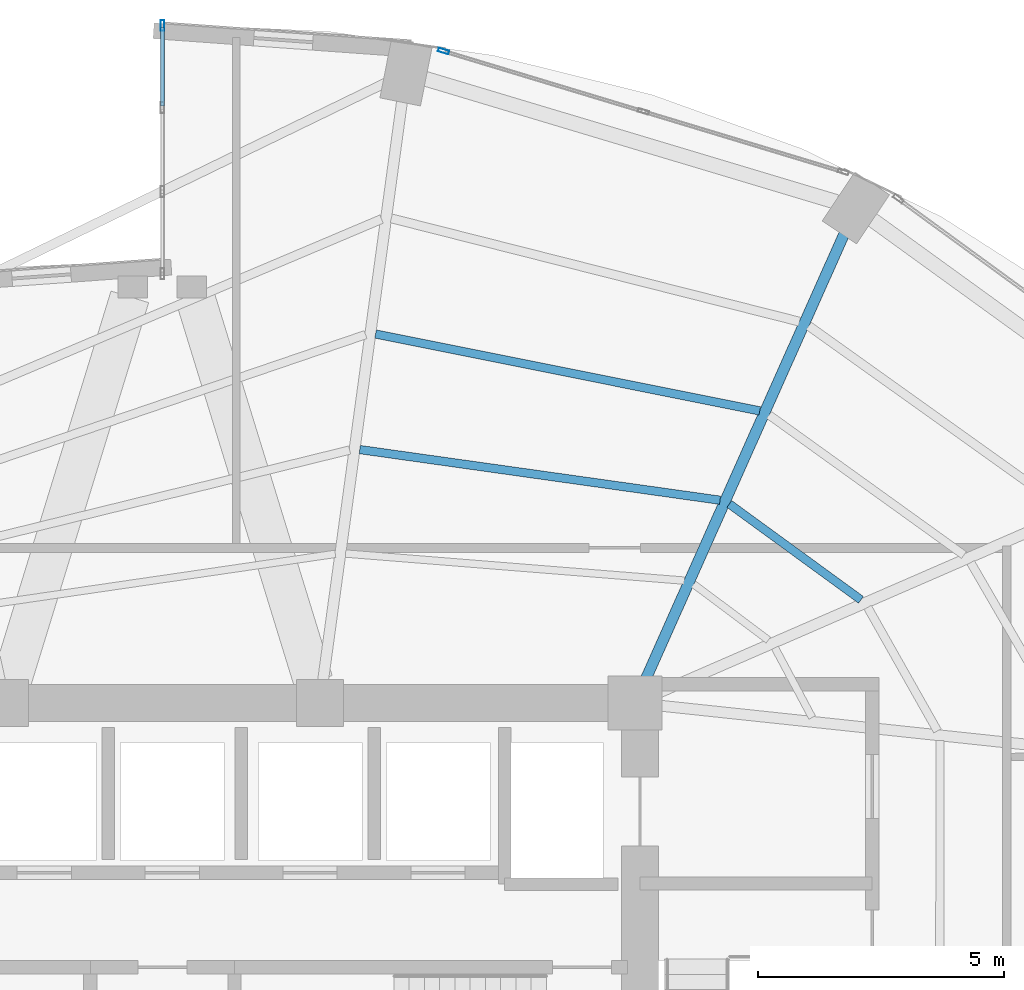
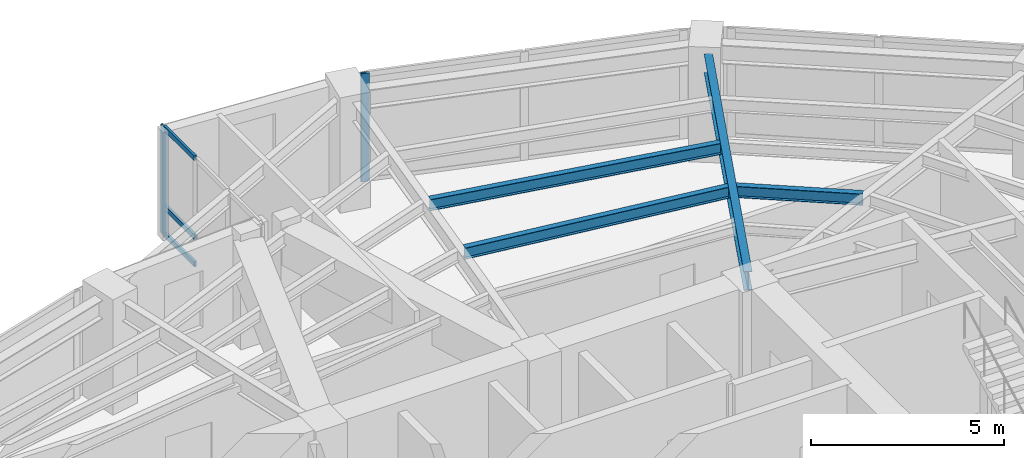
# One storey, part 16 of 24: 5 members, 4 beams, 2 elements without a shape of their own.
"""IFC4 building model written with IfcOpenShell, lengths in metres."""

import ifcopenshell
import ifcopenshell.guid

model = None  # the IFC model being written
_history = None  # IfcOwnerHistory: only IFC2X3 demands one
_inside = {}  # id of a spatial element -> (the spatial element, [elements in it])
_under = {}  # id of a project, library or spatial element -> (it, [spatial elements below it])
_declared = {}  # id of a project -> (the project, [libraries it declares])
_typed = {}  # id of a type object -> (the type object, [elements of that type])
_made_of = {}  # id of a material, layer set ... -> (it, [elements and type objects made of it])


def new_model(schema):
    """Start an empty IFC model of exactly this schema.

    Asked for "IFC4X3", IfcOpenShell would pick the latest addendum, in which some entities
    have other attributes; the version numbers below select the first issue.
    IFC2X3 requires an IfcOwnerHistory on every rooted entity: one is made here for all.
    """
    global model, _history
    if schema == "IFC4X3":
        model = ifcopenshell.file(schema_version=(4, 3, 0, 0))
    else:
        model = ifcopenshell.file(schema=schema)
    _inside.clear()
    _under.clear()
    _declared.clear()
    _typed.clear()
    _made_of.clear()
    _history = None
    if model.schema == "IFC2X3":
        org = make("IfcOrganization", Name="unknown")
        user = make(
            "IfcPersonAndOrganization",
            ThePerson=make("IfcPerson", FamilyName="unknown"),
            TheOrganization=org,
        )
        app = make(
            "IfcApplication",
            ApplicationDeveloper=org,
            Version="unknown",
            ApplicationFullName="unknown",
            ApplicationIdentifier="unknown",
        )
        _history = make(
            "IfcOwnerHistory",
            OwningUser=user,
            OwningApplication=app,
            ChangeAction="ADDED",
            CreationDate=0,
        )
    return model


def make(cls, **values):
    """One entity of the class cls with the attributes given. An attribute that is None is left unset."""
    return model.create_entity(
        cls, **{name: value for name, value in values.items() if value is not None}
    )


def rooted(cls, **values):
    """An entity with a GlobalId (a new one), such as an element, a storey or a relation."""
    return make(cls, GlobalId=ifcopenshell.guid.new(), OwnerHistory=_history, **values)


def si_unit(unit_type, name, prefix=None):
    """IfcSIUnit, for example si_unit("LENGTHUNIT", "METRE", prefix="MILLI")."""
    return make("IfcSIUnit", UnitType=unit_type, Prefix=prefix, Name=name)


def assignment(units):
    """IfcUnitAssignment: the units of a project."""
    return None if units is None else make("IfcUnitAssignment", Units=units)


def point(xyz):
    """IfcCartesianPoint."""
    return None if xyz is None else make("IfcCartesianPoint", Coordinates=xyz)


def direction(xyz):
    """IfcDirection."""
    return None if xyz is None else make("IfcDirection", DirectionRatios=xyz)


def frame(location, z_axis=None, x_axis=None):
    """IfcAxis2Placement3D, a coordinate frame: its origin and axes. An axis left out is left unset."""
    return make(
        "IfcAxis2Placement3D",
        Location=point(location),
        Axis=direction(z_axis),
        RefDirection=direction(x_axis),
    )


def frame_2d(location, x_axis=None):
    """IfcAxis2Placement2D, a coordinate frame in the plane: its origin and x axis."""
    return make(
        "IfcAxis2Placement2D", Location=point(location), RefDirection=direction(x_axis)
    )


def origin():
    """The frame at (0, 0, 0) with its axes left unset."""
    return frame((0.0, 0.0, 0.0))


def origin_2d():
    """The frame at (0, 0) in the plane with its x axis left unset."""
    return frame_2d((0.0, 0.0))


def place(relative_to, where):
    """IfcLocalPlacement: puts the frame where relative to a parent placement (None: the world)."""
    return make(
        "IfcLocalPlacement", PlacementRelTo=relative_to, RelativePlacement=where
    )


def context(
    kind, dimensions, precision=None, world=None, true_north=None, identifier=None
):
    """IfcGeometricRepresentationContext, for example the 3D "Model" context."""
    return make(
        "IfcGeometricRepresentationContext",
        ContextIdentifier=identifier,
        ContextType=kind,
        CoordinateSpaceDimension=dimensions,
        Precision=precision,
        WorldCoordinateSystem=world,
        TrueNorth=true_north,
    )


def subcontext(parent, identifier, kind, view, scale=None):
    """IfcGeometricRepresentationSubContext, for example "Body" below "Model"."""
    return make(
        "IfcGeometricRepresentationSubContext",
        ContextIdentifier=identifier,
        ContextType=kind,
        ParentContext=parent,
        TargetScale=scale,
        TargetView=view,
    )


def project(units=None, contexts=None):
    """IfcProject with its units and contexts."""
    return rooted(
        "IfcProject",
        Name="project",
        RepresentationContexts=contexts,
        UnitsInContext=assignment(units),
    )


def spatial(cls, under=None, at=None, **own):
    """A site, building, storey or space (cls), placed at a placement, below another one or the project."""
    s = rooted(cls, ObjectPlacement=at, **own)
    if under is not None:
        _under.setdefault(under.id(), (under, []))[1].append(s)
    return s


def profile(cls, at=None, kind="AREA", **sizes):
    """A parametric profile (cls). Its sizes go by their IFC names, for example OverallWidth=200.0."""
    return make(cls, ProfileType=kind, Position=at, **sizes)


def hollow_rectangle(**sizes):
    """IfcRectangleHollowProfileDef."""
    return profile("IfcRectangleHollowProfileDef", **sizes)


def i_section(**sizes):
    """IfcIShapeProfileDef."""
    return profile("IfcIShapeProfileDef", **sizes)


def extrude(swept, where, along, depth):
    """IfcExtrudedAreaSolid: the profile swept, set in the frame where, extruded along a direction by depth."""
    return make(
        "IfcExtrudedAreaSolid",
        SweptArea=swept,
        Position=where,
        ExtrudedDirection=direction(along),
        Depth=depth,
    )


def shape(context_of_items, identifier, shape_type, items):
    """IfcShapeRepresentation: the items that make up one representation, for example the "Body"."""
    return make(
        "IfcShapeRepresentation",
        ContextOfItems=context_of_items,
        RepresentationIdentifier=identifier,
        RepresentationType=shape_type,
        Items=items,
    )


def material(Name=None, Category=None):
    """IfcMaterial."""
    return make("IfcMaterial", Name=Name, Category=Category)


def layer(
    of_material, thickness, ventilated=None, Name=None, Category=None, Priority=None
):
    """IfcMaterialLayer: one layer of a wall or slab, of a material (None: an air gap)."""
    return make(
        "IfcMaterialLayer",
        Material=of_material,
        LayerThickness=thickness,
        IsVentilated=ventilated,
        Name=Name,
        Category=Category,
        Priority=Priority,
    )


def layer_set(layers, Name=None):
    """IfcMaterialLayerSet."""
    return make("IfcMaterialLayerSet", MaterialLayers=layers, LayerSetName=Name)


def material_profile(
    of_material, cross_section, Name=None, Category=None, Priority=None
):
    """IfcMaterialProfile: a cross section and its material."""
    return make(
        "IfcMaterialProfile",
        Name=Name,
        Material=of_material,
        Profile=cross_section,
        Priority=Priority,
        Category=Category,
    )


def profile_set(profiles, Name=None, composite=None):
    """IfcMaterialProfileSet."""
    return make(
        "IfcMaterialProfileSet",
        Name=Name,
        MaterialProfiles=profiles,
        CompositeProfile=composite,
    )


def made_of(thing, what):
    """Note that an element or type object is made of a material, layer set ...; save() writes the relation."""
    if what is not None:
        _made_of.setdefault(what.id(), (what, []))[1].append(thing)
    return thing


def type_object(cls, material=None, **own):
    """A type object (cls), such as IfcWallType, which elements share."""
    return made_of(rooted(cls, **own), material)


def element(
    cls,
    number,
    at=None,
    inside=None,
    cuts=None,
    type_object=None,
    material=None,
    context=None,
    identifier="Body",
    shape_type=None,
    held_by="IfcProductDefinitionShape",
    body=None,
    shapes=None,
    **own,
):
    """One element of the class cls, such as IfcWall. Its Tag is "e" and its number.

    at: its placement. inside: the storey or other place that contains it. cuts: it is an
    opening in that element (IfcRelVoidsElement). A single representation is given by context,
    identifier, shape_type and body (its items); several are given by shapes. held_by: the class
    of the entity that holds the representations. save() writes the other relations.
    """
    e = rooted(cls, Tag="e%d" % number, ObjectPlacement=at, **own)
    if body is not None:
        shapes = [shape(context, identifier, shape_type, body)]
    if shapes is not None:
        e.Representation = make(held_by, Representations=shapes)
    if inside is not None:
        _inside.setdefault(inside.id(), (inside, []))[1].append(e)
    if cuts is not None:
        rooted(
            "IfcRelVoidsElement", RelatingBuildingElement=cuts, RelatedOpeningElement=e
        )
    if type_object is not None:
        _typed.setdefault(type_object.id(), (type_object, []))[1].append(e)
    return made_of(e, material)


def aggregate(whole, parts):
    """IfcRelAggregates: a whole, such as a stair, and the parts it consists of."""
    return rooted("IfcRelAggregates", RelatingObject=whole, RelatedObjects=parts)


def save(model, path):
    """Write the relations noted so far, then the file.

    IfcRelAggregates (storeys below a building ...), IfcRelContainedInSpatialStructure (elements
    in a storey), IfcRelDefinesByType, IfcRelAssociatesMaterial and IfcRelDeclares: one each for
    every whole, place, type object, material and project.
    """
    for whole, parts in _under.values():
        aggregate(whole, parts)
    for where, things in _inside.values():
        rooted(
            "IfcRelContainedInSpatialStructure",
            RelatedElements=things,
            RelatingStructure=where,
        )
    for kind, things in _typed.values():
        rooted("IfcRelDefinesByType", RelatedObjects=things, RelatingType=kind)
    for what, things in _made_of.values():
        rooted("IfcRelAssociatesMaterial", RelatedObjects=things, RelatingMaterial=what)
    for by, libraries in _declared.values():
        rooted("IfcRelDeclares", RelatingContext=by, RelatedDefinitions=libraries)
    model.write(path)


model = new_model("IFC4")

# Units and contexts
model_context = context("Model", 3, precision=1e-05, world=origin(), true_north=direction((0.0, 1.0)))
body_context = subcontext(model_context, "Body", "Model", "MODEL_VIEW")
ifc_project = project(units=[si_unit("LENGTHUNIT", "METRE"), si_unit("AREAUNIT", "SQUARE_METRE"), si_unit("VOLUMEUNIT", "CUBIC_METRE"), si_unit("PLANEANGLEUNIT", "RADIAN"), si_unit("MASSUNIT", "GRAM", prefix="KILO")], contexts=[model_context])

# Site, building, storey
site_placement = place(None, origin())
site = spatial("IfcSite", under=ifc_project, at=site_placement, CompositionType="ELEMENT")
building_placement = place(site_placement, origin())
building = spatial("IfcBuilding", under=site, at=building_placement, Name="Lazwardi Medical Tower", CompositionType="ELEMENT")
storey_placement = place(building_placement, frame((0.0, 0.0, 99.98388671875)))
storey = spatial("IfcBuildingStorey", under=building, at=storey_placement, Name="L25", CompositionType="ELEMENT", Elevation=99.98388671875)

# Beams
ifc_material_1 = material(Name="Steel S355", Category="steel")
ifc_material_profile_1 = material_profile(ifc_material_1, i_section(OverallWidth=0.219970703125, OverallDepth=0.60009765625, WebThickness=0.011962890625, FlangeThickness=0.01904296875, at=origin_2d()), Name="IPE 600")
ifc_profile_set_1 = profile_set([ifc_material_profile_1], Name="Steel S355")
beam_type_1 = type_object("IfcBeamType", Name="BM-RG-W1", PredefinedType="BEAM", material=ifc_profile_set_1)
beam_1_placement = place(storey_placement, frame((49.847412109375, 45.127685546875, 3.128173828125), z_axis=(-0.407165924957, -0.913354208155, 0.0), x_axis=(0.913354208155, -0.407165924957, 0.0)))
element("IfcBeam", 1, at=beam_1_placement, inside=storey, type_object=beam_type_1, Name="Radial girder RG-02 R07 L25", PredefinedType="BEAM", context=body_context, shape_type="SweptSolid", body=[
    extrude(i_section(OverallWidth=0.219970703125, OverallDepth=0.60009765625, WebThickness=0.011962890625, FlangeThickness=0.01904296875, at=origin_2d()), origin(), (0.0, 0.0, 1.0), 9.896484375),
])
ifc_material_profile_2 = material_profile(ifc_material_1, i_section(OverallWidth=0.169921875, OverallDepth=0.360107421875, WebThickness=0.008056640625, FlangeThickness=0.0126953125, at=origin_2d()), Name="IPE 360")
ifc_profile_set_2 = profile_set([ifc_material_profile_2], Name="Steel S355")
beam_type_2 = type_object("IfcBeamType", Name="BM-SJ-02", PredefinedType="JOIST", material=ifc_profile_set_2)
beam_2_placement = place(storey_placement, frame((48.1328125, 41.53271484375, 3.248046875), z_axis=(-0.980542906584, 0.196304886203, 0.0), x_axis=(-0.196304886203, -0.980542906584, 0.0)))
element("IfcBeam", 2, at=beam_2_placement, inside=storey, type_object=beam_type_2, Name="Secondary joist SJ-02 R2 B07 L25", PredefinedType="JOIST", context=body_context, shape_type="SweptSolid", body=[
    extrude(i_section(OverallWidth=0.169921875, OverallDepth=0.360107421875, WebThickness=0.008056640625, FlangeThickness=0.0126953125, at=origin_2d()), origin(), (0.0, 0.0, 1.0), 7.95947265625),
])
beam_3_placement = place(storey_placement, frame((50.18798828125, 37.6953125, 3.248046875), z_axis=(-0.808301737247, 0.588768461761, 0.0), x_axis=(-0.588768461761, -0.808301737247, 0.0)))
element("IfcBeam", 3, at=beam_3_placement, inside=storey, type_object=beam_type_2, Name="Secondary joist SJ-02 R3 B06 L25", PredefinedType="JOIST", context=body_context, shape_type="SweptSolid", body=[
    extrude(i_section(OverallWidth=0.169921875, OverallDepth=0.360107421875, WebThickness=0.008056640625, FlangeThickness=0.0126953125, at=origin_2d()), origin(), (0.0, 0.0, 1.0), 3.307373046875),
])
beam_4_placement = place(storey_placement, frame((47.32568359375, 39.718994140625, 3.248046875), z_axis=(-0.990260920731, 0.139223952222, 0.0), x_axis=(-0.139223952222, -0.990260920731, 0.0)))
element("IfcBeam", 4, at=beam_4_placement, inside=storey, type_object=beam_type_2, Name="Secondary joist SJ-02 R3 B07 L25", PredefinedType="JOIST", context=body_context, shape_type="SweptSolid", body=[
    extrude(i_section(OverallWidth=0.169921875, OverallDepth=0.360107421875, WebThickness=0.008056640625, FlangeThickness=0.0126953125, at=origin_2d()), origin(), (0.0, 0.0, 1.0), 7.3896484375),
])

# Curtain wall, member
ifc_material_2 = material(Name="Anodised bronze aluminium and solar control glazing", Category="aluminium")
ifc_layer_1 = layer(ifc_material_2, 0.195068359375)
ifc_layer_set_1 = layer_set([ifc_layer_1], Name="Anodised bronze aluminium and solar control glazing")
curtain_wall_type_1 = type_object("IfcCurtainWallType", Name="CW-SYS-03", PredefinedType="NOTDEFINED", material=ifc_layer_set_1)
curtain_wall_1_placement = place(storey_placement, origin())
curtain_wall_1 = element("IfcCurtainWall", 5, at=curtain_wall_1_placement, inside=storey, type_object=curtain_wall_type_1, Name="L25 Unitised bronze curtain wall CW-03", PredefinedType="NOTDEFINED")
ifc_material_3 = material(Name="Anodised bronze aluminium", Category="aluminium")
ifc_material_profile_3 = material_profile(ifc_material_3, hollow_rectangle(XDim=0.074951171875, YDim=0.219970703125, WallThickness=0.00390625, at=origin_2d()), Name="ALU-MULLION 220x75x4")
ifc_profile_set_3 = profile_set([ifc_material_profile_3], Name="Anodised bronze aluminium")
member_type_1 = type_object("IfcMemberType", Name="CW-MUL-01", PredefinedType="MULLION", material=ifc_profile_set_3)
member_1_placement = place(storey_placement, frame((41.710205078125, 48.840087890625, 0.0), z_axis=(0.0, 0.0, 1.0), x_axis=(-0.28937381157, -0.957216170558, 0.0)))
member_1 = element("IfcMember", 6, at=member_1_placement, type_object=member_type_1, Name="CW-03 mullion 3", PredefinedType="MULLION", context=body_context, shape_type="SweptSolid", body=[
    extrude(hollow_rectangle(XDim=0.074951171875, YDim=0.219970703125, WallThickness=0.00390625, at=origin_2d()), origin(), (0.0, 0.0, 1.0), 3.42822265625),
])
aggregate(curtain_wall_1, [member_1])

# Curtain wall, members
ifc_layer_2 = layer(ifc_material_2, 0.2099609375)
ifc_layer_set_2 = layer_set([ifc_layer_2], Name="Anodised bronze aluminium and solar control glazing")
curtain_wall_type_2 = type_object("IfcCurtainWallType", Name="CW-SYS-06", PredefinedType="NOTDEFINED", material=ifc_layer_set_2)
curtain_wall_2_placement = place(storey_placement, origin())
curtain_wall_2 = element("IfcCurtainWall", 7, at=curtain_wall_2_placement, inside=storey, type_object=curtain_wall_type_2, Name="L25 Unitised bronze curtain wall CW-06", PredefinedType="NOTDEFINED")
member_2_placement = place(storey_placement, frame((36.0, 49.362548828125, 0.0), z_axis=(0.0, 0.0, 1.0), x_axis=(1.0, 0.0, 0.0)))
member_2 = element("IfcMember", 8, at=member_2_placement, type_object=member_type_1, Name="CW-06 mullion 1", PredefinedType="MULLION", context=body_context, shape_type="SweptSolid", body=[
    extrude(hollow_rectangle(XDim=0.074951171875, YDim=0.219970703125, WallThickness=0.00390625, at=origin_2d()), origin(), (0.0, 0.0, 1.0), 3.42822265625),
])
ifc_material_profile_4 = material_profile(ifc_material_3, hollow_rectangle(XDim=0.074951171875, YDim=0.159912109375, WallThickness=0.00390625, at=origin_2d()), Name="ALU-TRANSOM 160x75x4")
ifc_profile_set_4 = profile_set([ifc_material_profile_4], Name="Anodised bronze aluminium")
member_type_2 = type_object("IfcMemberType", Name="CW-TRN-01", PredefinedType="USERDEFINED", material=ifc_profile_set_4)
member_3_placement = place(storey_placement, frame((36.0, 49.324951171875, 0.03759765625), z_axis=(0.0, -1.0, 0.0), x_axis=(1.0, 0.0, 0.0)))
member_3 = element("IfcMember", 9, at=member_3_placement, type_object=member_type_2, Name="CW-06 transom 1.1", ObjectType="TRANSOM", PredefinedType="USERDEFINED", context=body_context, shape_type="SweptSolid", body=[
    extrude(hollow_rectangle(XDim=0.074951171875, YDim=0.159912109375, WallThickness=0.00390625, at=origin_2d()), origin(), (0.0, 0.0, 1.0), 1.59423828125),
])
member_4_placement = place(storey_placement, frame((36.0, 49.324951171875, 0.900146484375), z_axis=(0.0, -1.0, 0.0), x_axis=(1.0, 0.0, 0.0)))
member_4 = element("IfcMember", 10, at=member_4_placement, type_object=member_type_2, Name="CW-06 transom 1.2", ObjectType="TRANSOM", PredefinedType="USERDEFINED", context=body_context, shape_type="SweptSolid", body=[
    extrude(hollow_rectangle(XDim=0.074951171875, YDim=0.159912109375, WallThickness=0.00390625, at=origin_2d()), origin(), (0.0, 0.0, 1.0), 1.59423828125),
])
member_5_placement = place(storey_placement, frame((36.0, 49.324951171875, 3.390625), z_axis=(0.0, -1.0, 0.0), x_axis=(1.0, 0.0, 0.0)))
member_5 = element("IfcMember", 11, at=member_5_placement, type_object=member_type_2, Name="CW-06 transom 1.3", ObjectType="TRANSOM", PredefinedType="USERDEFINED", context=body_context, shape_type="SweptSolid", body=[
    extrude(hollow_rectangle(XDim=0.074951171875, YDim=0.159912109375, WallThickness=0.00390625, at=origin_2d()), origin(), (0.0, 0.0, 1.0), 1.59423828125),
])
aggregate(curtain_wall_2, [member_2, member_3, member_4, member_5])

save(model, "model.ifc")
